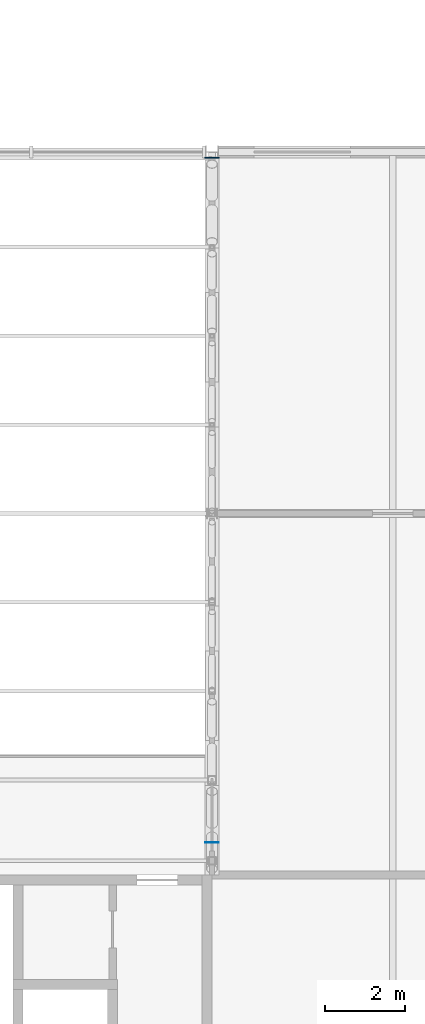
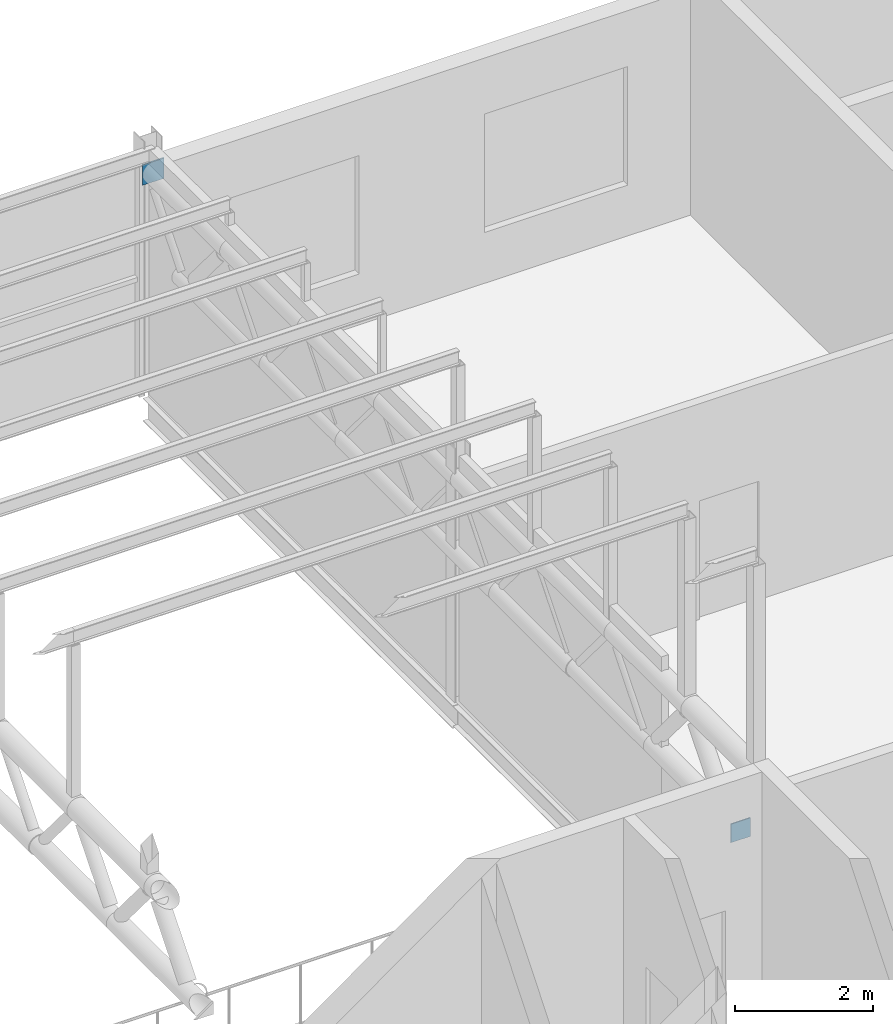
# One storey, part 110 of 138: 2 plates.
"""IFC4 building model written with IfcOpenShell, lengths in metres."""

from ifc_helpers import new_model, si_unit, direction, frame, origin, origin_2d, place, context, subcontext, project, spatial, rectangle, extrude, material, layer, layer_set, type_object, element, save


model = new_model("IFC4")

# Units and contexts
model_context = context("Model", 3, precision=1e-05, world=origin(), true_north=direction((0.0, 1.0)))
body_context = subcontext(model_context, "Body", "Model", "MODEL_VIEW")
ifc_project = project(units=[si_unit("LENGTHUNIT", "METRE"), si_unit("AREAUNIT", "SQUARE_METRE"), si_unit("VOLUMEUNIT", "CUBIC_METRE"), si_unit("PLANEANGLEUNIT", "RADIAN"), si_unit("MASSUNIT", "GRAM", prefix="KILO")], contexts=[model_context])

# Site, building, storey
site_placement = place(None, origin())
site = spatial("IfcSite", under=ifc_project, at=site_placement, CompositionType="ELEMENT")
building_placement = place(site_placement, origin())
building = spatial("IfcBuilding", under=site, at=building_placement, Name="Corbel Yard City Hall", CompositionType="ELEMENT")
storey_placement = place(building_placement, frame((0.0, 0.0, 10.5)))
storey = spatial("IfcBuildingStorey", under=building, at=storey_placement, Name="L02", CompositionType="ELEMENT", Elevation=10.5)

# Plates
ifc_material = material(Name="Steel Grade 300 (300 MPa yield)", Category="steel")
ifc_layer_1 = layer(ifc_material, 0.01611328125)
ifc_layer_set_1 = layer_set([ifc_layer_1], Name="Steel Grade 300 (300 MPa yield)")
plate_type_1 = type_object("IfcPlateType", Name="Truss bottom chord cap plate", PredefinedType="NOTDEFINED", material=ifc_layer_set_1)
plate_1_placement = place(storey_placement, frame((162.0, 9.807373046875, 2.42724609375), z_axis=(0.0, 0.0, 1.0), x_axis=(1.0, 0.0, 0.0)))
element("IfcPlate", 1, at=plate_1_placement, inside=storey, type_object=plate_type_1, Name="Truss bottom chord cap plate EP2", PredefinedType="NOTDEFINED", context=body_context, shape_type="SweptSolid", body=[
    extrude(rectangle(XDim=0.330078125, YDim=0.01611328125, at=origin_2d()), origin(), (0.0, 0.0, 1.0), 0.330078125),
])
ifc_layer_2 = layer(ifc_material, 0.02490234375)
ifc_layer_set_2 = layer_set([ifc_layer_2], Name="Steel Grade 300 (300 MPa yield)")
plate_type_2 = type_object("IfcPlateType", Name="Truss top chord end plate", PredefinedType="NOTDEFINED", material=ifc_layer_set_2)
plate_2_placement = place(storey_placement, frame((162.0, 26.860107421875, 3.7421875), z_axis=(0.0, 0.0, 1.0), x_axis=(1.0, 0.0, 0.0)))
element("IfcPlate", 2, at=plate_2_placement, inside=storey, type_object=plate_type_2, Name="Truss top chord end plate EP1", PredefinedType="NOTDEFINED", context=body_context, shape_type="SweptSolid", body=[
    extrude(rectangle(XDim=0.360107421875, YDim=0.02490234375, at=origin_2d()), origin(), (0.0, 0.0, 1.0), 0.360107421875),
])

save(model, "model.ifc")
